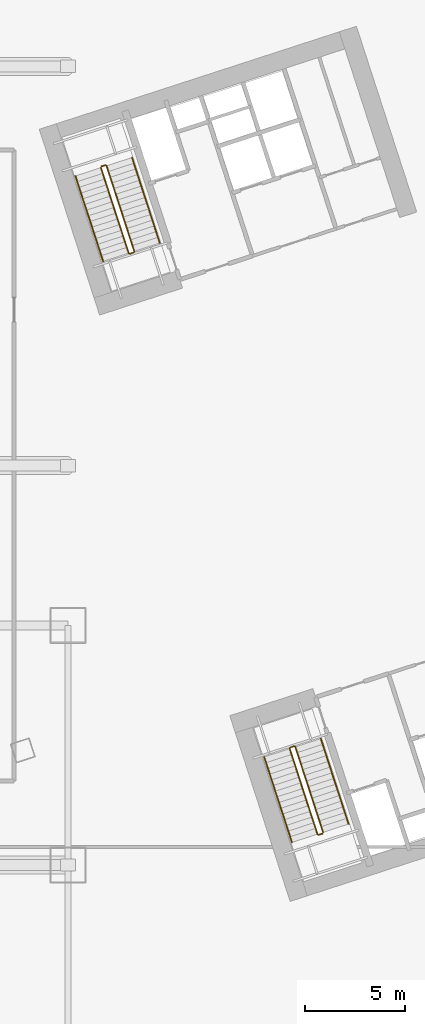
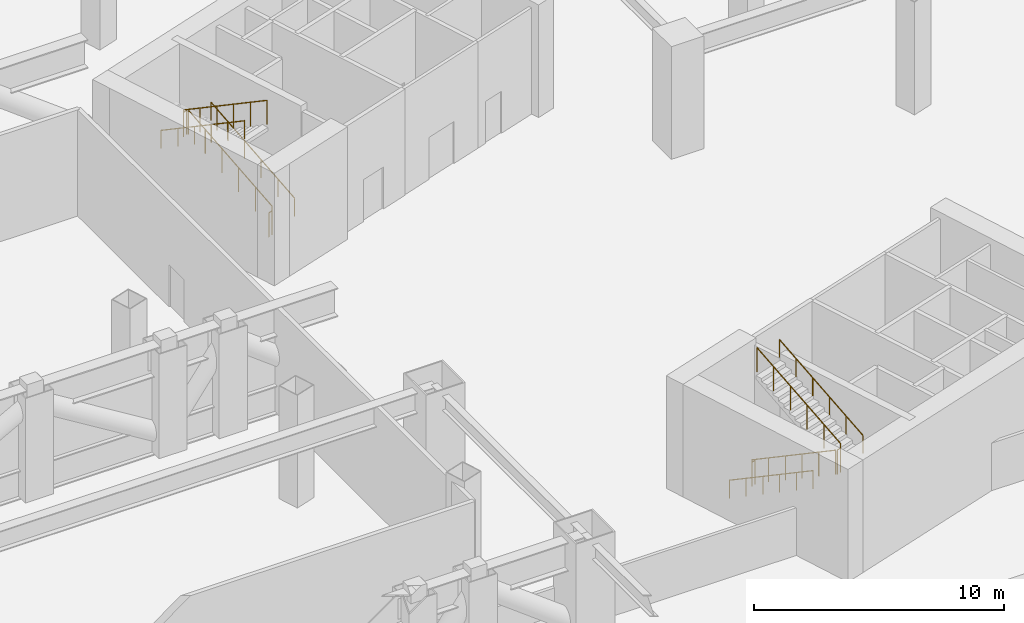
# One storey, part 33 of 34: 12 railings.
"""IFC4 building model written with IfcOpenShell, lengths in metres."""

from ifc_helpers import new_model, si_unit, direction, frame, origin, origin_2d, place, context, subcontext, project, spatial, circle, extrude, material, type_object, element, save


model = new_model("IFC4")

# Units and contexts
model_context = context("Model", 3, precision=1e-05, world=origin(), true_north=direction((0.0, 1.0)))
body_context = subcontext(model_context, "Body", "Model", "MODEL_VIEW")
ifc_project = project(units=[si_unit("LENGTHUNIT", "METRE"), si_unit("AREAUNIT", "SQUARE_METRE"), si_unit("VOLUMEUNIT", "CUBIC_METRE"), si_unit("PLANEANGLEUNIT", "RADIAN"), si_unit("MASSUNIT", "GRAM", prefix="KILO")], contexts=[model_context])

# Site, building, storey
site_placement = place(None, origin())
site = spatial("IfcSite", under=ifc_project, at=site_placement, CompositionType="ELEMENT")
building_placement = place(site_placement, origin())
building = spatial("IfcBuilding", under=site, at=building_placement, Name="Qiaolan Cultural Towers", CompositionType="ELEMENT")
storey_placement = place(building_placement, frame((0.0, 0.0, 16.5)))
storey = spatial("IfcBuildingStorey", under=building, at=storey_placement, Name="L03", CompositionType="ELEMENT", Elevation=16.5)

# Railings
ifc_material_1 = material(Name="Galvanized Painted Steel Stair Guardrail", Category="steel")
railing_type_1 = type_object("IfcRailingType", Name="RL-STAIR-GRD", PredefinedType="GUARDRAIL", material=ifc_material_1)
railing_1_placement = place(storey_placement, frame((88.60205078125, 19.82421875, 0.171875)))
element("IfcRailing", 1, at=railing_1_placement, inside=storey, type_object=railing_type_1, Name="L03 ST-E1 stair guard 1", PredefinedType="GUARDRAIL", context=body_context, shape_type="SweptSolid", body=[
    extrude(circle(Radius=0.02392578125, at=origin_2d()), frame((0.0, 0.0, 1.17578125), z_axis=(0.268137207864, -0.825218619006, 0.497108306714), x_axis=(0.951054001411, 0.309024734286, 0.0)), (0.0, 0.0, 1.0), 5.186279296875),
    extrude(circle(Radius=0.02099609375, at=origin_2d()), origin(), (0.0, 0.0, 1.0), 1.15185546875),
    extrude(circle(Radius=0.02099609375, at=origin_2d()), frame((0.278076171875, -0.85595703125, 0.515625)), (0.0, 0.0, 1.0), 1.15185546875),
    extrude(circle(Radius=0.02099609375, at=origin_2d()), frame((0.55615234375, -1.7119140625, 1.03125)), (0.0, 0.0, 1.0), 1.15185546875),
    extrude(circle(Radius=0.02099609375, at=origin_2d()), frame((0.83447265625, -2.56787109375, 1.546875)), (0.0, 0.0, 1.0), 1.15185546875),
    extrude(circle(Radius=0.02099609375, at=origin_2d()), frame((1.112548828125, -3.423828125, 2.0625)), (0.0, 0.0, 1.0), 1.15185546875),
    extrude(circle(Radius=0.02099609375, at=origin_2d()), frame((1.390625, -4.27978515625, 2.578125)), (0.0, 0.0, 1.0), 1.15185546875),
])
railing_2_placement = place(storey_placement, frame((90.0556640625, 15.512451171875, 2.75)))
element("IfcRailing", 2, at=railing_2_placement, inside=storey, type_object=railing_type_1, Name="L03 ST-E1 stair guard 2", PredefinedType="GUARDRAIL", context=body_context, shape_type="SweptSolid", body=[
    extrude(circle(Radius=0.02392578125, at=origin_2d()), frame((0.0, 0.0, 1.17578125), z_axis=(0.951096855055, 0.308892816854, 0.0), x_axis=(-0.308892816854, 0.951096855055, 0.0)), (0.0, 0.0, 1.0), 0.199951171875),
    extrude(circle(Radius=0.02099609375, at=origin_2d()), origin(), (0.0, 0.0, 1.0), 1.15185546875),
    extrude(circle(Radius=0.02099609375, at=origin_2d()), frame((0.190185546875, 0.061767578125, 0.0)), (0.0, 0.0, 1.0), 1.15185546875),
])
railing_3_placement = place(storey_placement, frame((90.278076171875, 15.63720703125, 2.921875)))
element("IfcRailing", 3, at=railing_3_placement, inside=storey, type_object=railing_type_1, Name="L03 ST-E1 stair guard 3", PredefinedType="GUARDRAIL", context=body_context, shape_type="SweptSolid", body=[
    extrude(circle(Radius=0.02392578125, at=origin_2d()), frame((0.0, 0.0, 1.17578125), z_axis=(-0.268137207864, 0.825218619006, 0.497108306714), x_axis=(-0.951054001411, -0.309024734286, 0.0)), (0.0, 0.0, 1.0), 5.186279296875),
    extrude(circle(Radius=0.02099609375, at=origin_2d()), origin(), (0.0, 0.0, 1.0), 1.15185546875),
    extrude(circle(Radius=0.02099609375, at=origin_2d()), frame((-0.278076171875, 0.85595703125, 0.515625)), (0.0, 0.0, 1.0), 1.15185546875),
    extrude(circle(Radius=0.02099609375, at=origin_2d()), frame((-0.55615234375, 1.7119140625, 1.03125)), (0.0, 0.0, 1.0), 1.15185546875),
    extrude(circle(Radius=0.02099609375, at=origin_2d()), frame((-0.83447265625, 2.56787109375, 1.546875)), (0.0, 0.0, 1.0), 1.15185546875),
    extrude(circle(Radius=0.02099609375, at=origin_2d()), frame((-1.112548828125, 3.423828125, 2.0625)), (0.0, 0.0, 1.0), 1.15185546875),
    extrude(circle(Radius=0.02099609375, at=origin_2d()), frame((-1.390625, 4.27978515625, 2.578125)), (0.0, 0.0, 1.0), 1.15185546875),
])
railing_4_placement = place(storey_placement, frame((88.63427734375, 19.88720703125, 0.0)))
element("IfcRailing", 4, at=railing_4_placement, inside=storey, type_object=railing_type_1, Name="L03 ST-E1 stair guard 4", PredefinedType="GUARDRAIL", context=body_context, shape_type="SweptSolid", body=[
    extrude(circle(Radius=0.02392578125, at=origin_2d()), frame((0.0, 0.0, 1.17578125), z_axis=(0.951096855055, 0.308892816854, 0.0), x_axis=(-0.308892816854, 0.951096855055, 0.0)), (0.0, 0.0, 1.0), 0.199951171875),
    extrude(circle(Radius=0.02099609375, at=origin_2d()), origin(), (0.0, 0.0, 1.0), 1.15185546875),
    extrude(circle(Radius=0.02099609375, at=origin_2d()), frame((0.190185546875, 0.061767578125, 0.0)), (0.0, 0.0, 1.0), 1.15185546875),
])
railing_5_placement = place(storey_placement, frame((80.822021484375, 44.739501953125, 0.171875)))
element("IfcRailing", 5, at=railing_5_placement, inside=storey, type_object=railing_type_1, Name="L03 ST-E2 stair guard 1", PredefinedType="GUARDRAIL", context=body_context, shape_type="SweptSolid", body=[
    extrude(circle(Radius=0.02392578125, at=origin_2d()), frame((0.0, 0.0, 1.17578125), z_axis=(-0.268093516939, 0.825229034582, 0.497114581015), x_axis=(-0.951069945308, -0.308975661068, 0.0)), (0.0, 0.0, 1.0), 5.186279296875),
    extrude(circle(Radius=0.02099609375, at=origin_2d()), origin(), (0.0, 0.0, 1.0), 1.15185546875),
    extrude(circle(Radius=0.02099609375, at=origin_2d()), frame((-0.278076171875, 0.85595703125, 0.515625)), (0.0, 0.0, 1.0), 1.15185546875),
    extrude(circle(Radius=0.02099609375, at=origin_2d()), frame((-0.55615234375, 1.7119140625, 1.03125)), (0.0, 0.0, 1.0), 1.15185546875),
    extrude(circle(Radius=0.02099609375, at=origin_2d()), frame((-0.834228515625, 2.56787109375, 1.546875)), (0.0, 0.0, 1.0), 1.15185546875),
    extrude(circle(Radius=0.02099609375, at=origin_2d()), frame((-1.1123046875, 3.423828125, 2.0625)), (0.0, 0.0, 1.0), 1.15185546875),
    extrude(circle(Radius=0.02099609375, at=origin_2d()), frame((-1.390380859375, 4.27978515625, 2.578125)), (0.0, 0.0, 1.0), 1.15185546875),
])
railing_6_placement = place(storey_placement, frame((79.36865234375, 49.05126953125, 2.75)))
element("IfcRailing", 6, at=railing_6_placement, inside=storey, type_object=railing_type_1, Name="L03 ST-E2 stair guard 2", PredefinedType="GUARDRAIL", context=body_context, shape_type="SweptSolid", body=[
    extrude(circle(Radius=0.02392578125, at=origin_2d()), frame((0.0, 0.0, 1.17578125), z_axis=(-0.951213146275, -0.308534520522, 0.0), x_axis=(0.308534520522, -0.951213146275, 0.0)), (0.0, 0.0, 1.0), 0.2001953125),
    extrude(circle(Radius=0.02099609375, at=origin_2d()), origin(), (0.0, 0.0, 1.0), 1.15185546875),
    extrude(circle(Radius=0.02099609375, at=origin_2d()), frame((-0.1904296875, -0.061767578125, 0.0)), (0.0, 0.0, 1.0), 1.15185546875),
])
railing_7_placement = place(storey_placement, frame((79.146240234375, 48.926513671875, 2.921875)))
element("IfcRailing", 7, at=railing_7_placement, inside=storey, type_object=railing_type_1, Name="L03 ST-E2 stair guard 3", PredefinedType="GUARDRAIL", context=body_context, shape_type="SweptSolid", body=[
    extrude(circle(Radius=0.02392578125, at=origin_2d()), frame((0.0, 0.0, 1.17578125), z_axis=(0.268137207864, -0.825218619006, 0.497108306714), x_axis=(0.951054001411, 0.309024734286, 0.0)), (0.0, 0.0, 1.0), 5.186279296875),
    extrude(circle(Radius=0.02099609375, at=origin_2d()), origin(), (0.0, 0.0, 1.0), 1.15185546875),
    extrude(circle(Radius=0.02099609375, at=origin_2d()), frame((0.278076171875, -0.85595703125, 0.515625)), (0.0, 0.0, 1.0), 1.15185546875),
    extrude(circle(Radius=0.02099609375, at=origin_2d()), frame((0.55615234375, -1.7119140625, 1.03125)), (0.0, 0.0, 1.0), 1.15185546875),
    extrude(circle(Radius=0.02099609375, at=origin_2d()), frame((0.83447265625, -2.56787109375, 1.546875)), (0.0, 0.0, 1.0), 1.15185546875),
    extrude(circle(Radius=0.02099609375, at=origin_2d()), frame((1.112548828125, -3.423828125, 2.0625)), (0.0, 0.0, 1.0), 1.15185546875),
    extrude(circle(Radius=0.02099609375, at=origin_2d()), frame((1.390625, -4.27978515625, 2.578125)), (0.0, 0.0, 1.0), 1.15185546875),
])
railing_8_placement = place(storey_placement, frame((80.7900390625, 44.676513671875, 0.0)))
element("IfcRailing", 8, at=railing_8_placement, inside=storey, type_object=railing_type_1, Name="L03 ST-E2 stair guard 4", PredefinedType="GUARDRAIL", context=body_context, shape_type="SweptSolid", body=[
    extrude(circle(Radius=0.02392578125, at=origin_2d()), frame((0.0, 0.0, 1.17578125), z_axis=(-0.951096855055, -0.308892816854, 0.0), x_axis=(0.308892816854, -0.951096855055, 0.0)), (0.0, 0.0, 1.0), 0.199951171875),
    extrude(circle(Radius=0.02099609375, at=origin_2d()), origin(), (0.0, 0.0, 1.0), 1.15185546875),
    extrude(circle(Radius=0.02099609375, at=origin_2d()), frame((-0.190185546875, -0.061767578125, 0.0)), (0.0, 0.0, 1.0), 1.15185546875),
])
ifc_material_2 = material(Name="Stainless Steel S30408 Tubular Handrail", Category="steel")
railing_type_2 = type_object("IfcRailingType", Name="RL-STAIR-HR", PredefinedType="HANDRAIL", material=ifc_material_2)
railing_9_placement = place(storey_placement, frame((87.32763671875, 19.41015625, 0.171875)))
element("IfcRailing", 9, at=railing_9_placement, inside=storey, type_object=railing_type_2, Name="L03 ST-E1 stair handrail 1", PredefinedType="HANDRAIL", context=body_context, shape_type="SweptSolid", body=[
    extrude(circle(Radius=0.02392578125, at=origin_2d()), frame((0.0, 0.0, 0.8759765625), z_axis=(0.268137207864, -0.825218619006, 0.497108306714), x_axis=(0.951054001411, 0.309024734286, 0.0)), (0.0, 0.0, 1.0), 5.186279296875),
    extrude(circle(Radius=0.02099609375, at=origin_2d()), origin(), (0.0, 0.0, 1.0), 0.851806640625),
    extrude(circle(Radius=0.02099609375, at=origin_2d()), frame((0.278076171875, -0.85595703125, 0.515625)), (0.0, 0.0, 1.0), 0.851806640625),
    extrude(circle(Radius=0.02099609375, at=origin_2d()), frame((0.55615234375, -1.7119140625, 1.03125)), (0.0, 0.0, 1.0), 0.851806640625),
    extrude(circle(Radius=0.02099609375, at=origin_2d()), frame((0.83447265625, -2.56787109375, 1.546875)), (0.0, 0.0, 1.0), 0.851806640625),
    extrude(circle(Radius=0.02099609375, at=origin_2d()), frame((1.112548828125, -3.423828125, 2.0625)), (0.0, 0.0, 1.0), 0.851806640625),
    extrude(circle(Radius=0.02099609375, at=origin_2d()), frame((1.390625, -4.27978515625, 2.578125)), (0.0, 0.0, 1.0), 0.851806640625),
])
railing_10_placement = place(storey_placement, frame((91.552490234375, 16.05126953125, 2.921875)))
element("IfcRailing", 10, at=railing_10_placement, inside=storey, type_object=railing_type_2, Name="L03 ST-E1 stair handrail 2", PredefinedType="HANDRAIL", context=body_context, shape_type="SweptSolid", body=[
    extrude(circle(Radius=0.02392578125, at=origin_2d()), frame((0.0, 0.0, 0.8759765625), z_axis=(-0.268137207864, 0.825218619006, 0.497108306714), x_axis=(-0.951054001411, -0.309024734286, 0.0)), (0.0, 0.0, 1.0), 5.186279296875),
    extrude(circle(Radius=0.02099609375, at=origin_2d()), origin(), (0.0, 0.0, 1.0), 0.851806640625),
    extrude(circle(Radius=0.02099609375, at=origin_2d()), frame((-0.278076171875, 0.85595703125, 0.515625)), (0.0, 0.0, 1.0), 0.851806640625),
    extrude(circle(Radius=0.02099609375, at=origin_2d()), frame((-0.55615234375, 1.7119140625, 1.03125)), (0.0, 0.0, 1.0), 0.851806640625),
    extrude(circle(Radius=0.02099609375, at=origin_2d()), frame((-0.83447265625, 2.56787109375, 1.546875)), (0.0, 0.0, 1.0), 0.851806640625),
    extrude(circle(Radius=0.02099609375, at=origin_2d()), frame((-1.112548828125, 3.423828125, 2.0625)), (0.0, 0.0, 1.0), 0.851806640625),
    extrude(circle(Radius=0.02099609375, at=origin_2d()), frame((-1.390625, 4.27978515625, 2.578125)), (0.0, 0.0, 1.0), 0.851806640625),
])
railing_11_placement = place(storey_placement, frame((82.096435546875, 45.153564453125, 0.171875)))
element("IfcRailing", 11, at=railing_11_placement, inside=storey, type_object=railing_type_2, Name="L03 ST-E2 stair handrail 1", PredefinedType="HANDRAIL", context=body_context, shape_type="SweptSolid", body=[
    extrude(circle(Radius=0.02392578125, at=origin_2d()), frame((0.0, 0.0, 0.8759765625), z_axis=(-0.268093516939, 0.825229034582, 0.497114581015), x_axis=(-0.951069945308, -0.308975661068, 0.0)), (0.0, 0.0, 1.0), 5.186279296875),
    extrude(circle(Radius=0.02099609375, at=origin_2d()), origin(), (0.0, 0.0, 1.0), 0.851806640625),
    extrude(circle(Radius=0.02099609375, at=origin_2d()), frame((-0.278076171875, 0.85595703125, 0.515625)), (0.0, 0.0, 1.0), 0.851806640625),
    extrude(circle(Radius=0.02099609375, at=origin_2d()), frame((-0.55615234375, 1.7119140625, 1.03125)), (0.0, 0.0, 1.0), 0.851806640625),
    extrude(circle(Radius=0.02099609375, at=origin_2d()), frame((-0.834228515625, 2.56787109375, 1.546875)), (0.0, 0.0, 1.0), 0.851806640625),
    extrude(circle(Radius=0.02099609375, at=origin_2d()), frame((-1.1123046875, 3.423828125, 2.0625)), (0.0, 0.0, 1.0), 0.851806640625),
    extrude(circle(Radius=0.02099609375, at=origin_2d()), frame((-1.390380859375, 4.27978515625, 2.578125)), (0.0, 0.0, 1.0), 0.851806640625),
])
railing_12_placement = place(storey_placement, frame((77.871826171875, 48.512451171875, 2.921875)))
element("IfcRailing", 12, at=railing_12_placement, inside=storey, type_object=railing_type_2, Name="L03 ST-E2 stair handrail 2", PredefinedType="HANDRAIL", context=body_context, shape_type="SweptSolid", body=[
    extrude(circle(Radius=0.02392578125, at=origin_2d()), frame((0.0, 0.0, 0.8759765625), z_axis=(0.268137207864, -0.825218619006, 0.497108306714), x_axis=(0.951054001411, 0.309024734286, 0.0)), (0.0, 0.0, 1.0), 5.186279296875),
    extrude(circle(Radius=0.02099609375, at=origin_2d()), origin(), (0.0, 0.0, 1.0), 0.851806640625),
    extrude(circle(Radius=0.02099609375, at=origin_2d()), frame((0.278076171875, -0.85595703125, 0.515625)), (0.0, 0.0, 1.0), 0.851806640625),
    extrude(circle(Radius=0.02099609375, at=origin_2d()), frame((0.55615234375, -1.7119140625, 1.03125)), (0.0, 0.0, 1.0), 0.851806640625),
    extrude(circle(Radius=0.02099609375, at=origin_2d()), frame((0.83447265625, -2.56787109375, 1.546875)), (0.0, 0.0, 1.0), 0.851806640625),
    extrude(circle(Radius=0.02099609375, at=origin_2d()), frame((1.112548828125, -3.423828125, 2.0625)), (0.0, 0.0, 1.0), 0.851806640625),
    extrude(circle(Radius=0.02099609375, at=origin_2d()), frame((1.390625, -4.27978515625, 2.578125)), (0.0, 0.0, 1.0), 0.851806640625),
])

save(model, "model.ifc")
